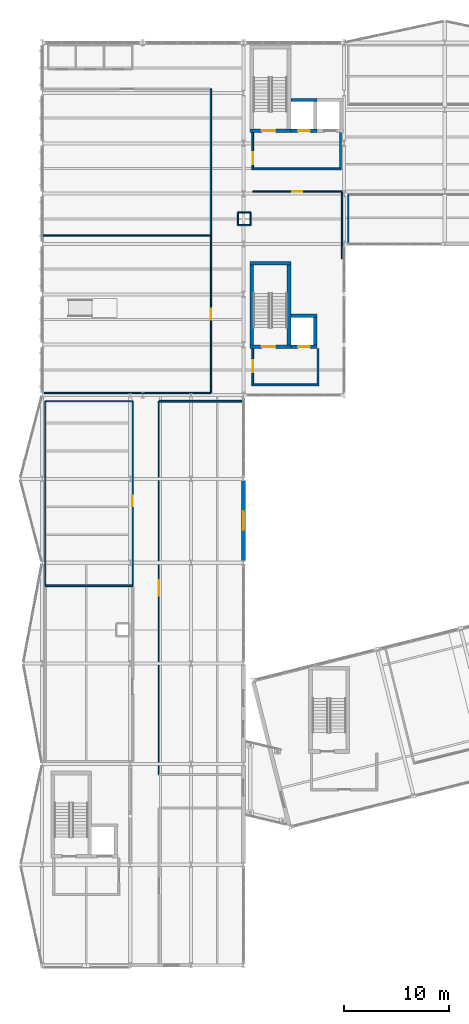
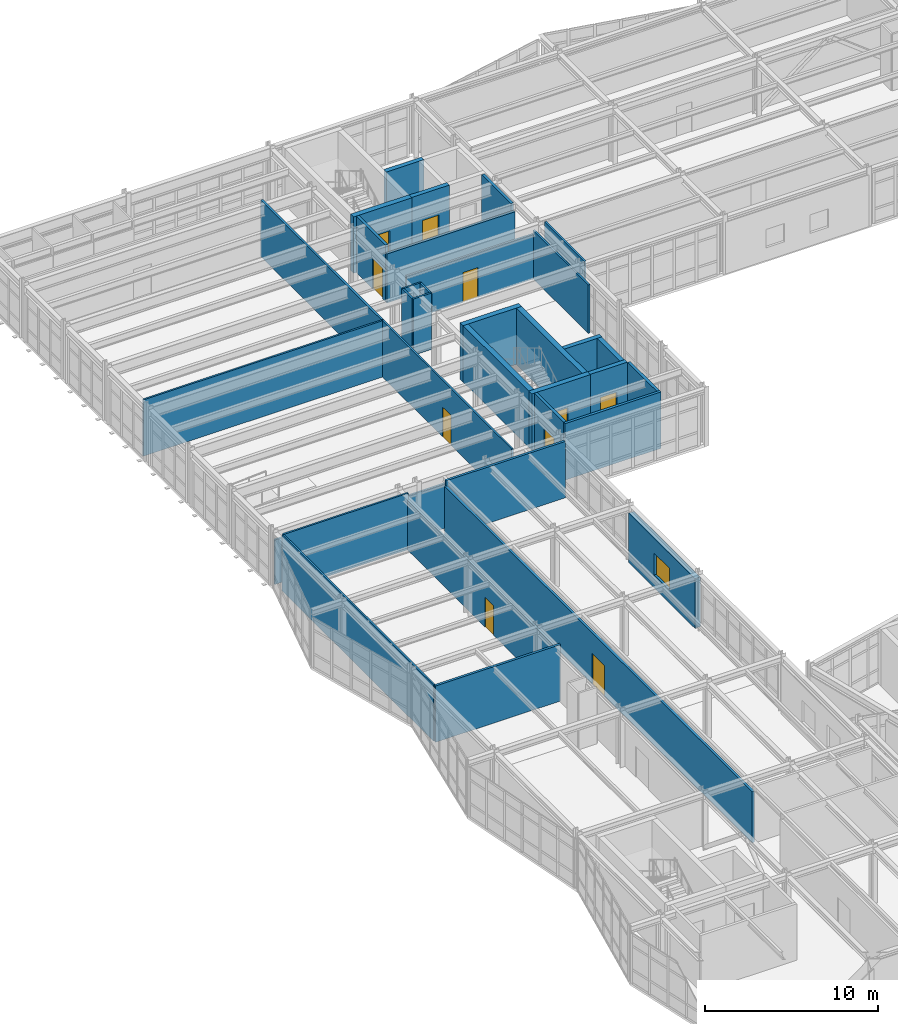
# One storey, part 64 of 76: 34 walls, 10 doors, 1 window, 11 openings.
"""IFC4 building model written with IfcOpenShell, lengths in metres."""

from ifc_helpers import new_model, si_unit, direction, frame, frame_2d, origin, place, context, subcontext, project, spatial, rectangle, extrude, material, layer, layer_set, type_object, element, fill, save


model = new_model("IFC4")

# Units and contexts
model_context = context("Model", 3, precision=1e-05, world=origin(), true_north=direction((0.0, 1.0)))
body_context = subcontext(model_context, "Body", "Model", "MODEL_VIEW")
ifc_project = project(units=[si_unit("LENGTHUNIT", "METRE"), si_unit("AREAUNIT", "SQUARE_METRE"), si_unit("VOLUMEUNIT", "CUBIC_METRE"), si_unit("PLANEANGLEUNIT", "RADIAN"), si_unit("MASSUNIT", "GRAM", prefix="KILO")], contexts=[model_context])

# Site, building, storey
site_placement = place(None, origin())
site = spatial("IfcSite", under=ifc_project, at=site_placement, CompositionType="ELEMENT")
building_placement = place(site_placement, origin())
building = spatial("IfcBuilding", under=site, at=building_placement, Name="Nordkorset Police Headquarters", CompositionType="ELEMENT")
storey_placement = place(building_placement, frame((0.0, 0.0, 13.64990234375)))
storey = spatial("IfcBuildingStorey", under=building, at=storey_placement, Name="L03", CompositionType="ELEMENT", Elevation=13.64990234375)

# Walls
ifc_material_1 = material(Name="Gypsum board", Category="gypsum")
ifc_layer_1 = layer(ifc_material_1, 0.139892578125, Name="Gypsum board")
ifc_layer_set_1 = layer_set([ifc_layer_1], Name="Gypsum board")
wall_type_1 = type_object("IfcWallType", Name="Wall_Acoust_140", PredefinedType="PARTITIONING", material=ifc_layer_set_1)
wall_1_placement = place(storey_placement, frame((16.10009765625, 98.455078125, 0.0), z_axis=(0.0, 0.0, 1.0), x_axis=(0.0, 1.0, 0.0)))
element("IfcWall", 1, at=wall_1_placement, inside=storey, type_object=wall_type_1, Name="Interior Partition Wall Encrypted Case Coordination Room", PredefinedType="PARTITIONING", context=body_context, shape_type="SweptSolid", body=[
    extrude(rectangle(XDim=13.94482421875, YDim=0.139892578125, at=frame_2d((6.972412109375, 0.0))), origin(), (0.0, 0.0, 1.0), 3.97998046875),
])
ifc_material_2 = material(Name="Gypsum board", Category="gypsum")
ifc_layer_2 = layer(ifc_material_2, 0.179931640625, Name="Gypsum board")
ifc_layer_set_2 = layer_set([ifc_layer_2], Name="Gypsum board")
wall_type_2 = type_object("IfcWallType", Name="Wall_Comp_180", PredefinedType="PARTITIONING", material=ifc_layer_set_2)
wall_2_placement = place(storey_placement, frame((20.0, 104.760009765625, 0.0), z_axis=(0.0, 0.0, 1.0), x_axis=(1.0, 0.0, 0.0)))
element("IfcWall", 2, at=wall_2_placement, inside=storey, type_object=wall_type_2, Name="Firefighting Lobby EI 60 Wall K1 L03 S", PredefinedType="PARTITIONING", context=body_context, shape_type="SweptSolid", body=[
    extrude(rectangle(XDim=8.550048828125, YDim=0.179931640625, at=frame_2d((4.27490234375, 0.0))), origin(), (0.0, 0.0, 1.0), 3.460205078125),
])

# Wall, opening, door
wall_3_placement = place(storey_placement, frame((20.090087890625, 104.85009765625, 0.0), z_axis=(0.0, 0.0, 1.0), x_axis=(0.0, 1.0, 0.0)))
wall_3 = element("IfcWall", 3, at=wall_3_placement, inside=storey, type_object=wall_type_2, Name="Firefighting Lobby EI 60 Wall K1 L03 W", PredefinedType="PARTITIONING", context=body_context, shape_type="SweptSolid", body=[
    extrude(rectangle(XDim=3.375, YDim=0.179931640625, at=frame_2d((1.6875, 0.0))), origin(), (0.0, 0.0, 1.0), 3.97998046875),
])
opening_1_placement = place(wall_3_placement, frame((0.35009765625, 0.0, 0.0)))
opening_1 = element("IfcOpeningElement", 4, at=opening_1_placement, cuts=wall_3, Name="Opening DR-01", PredefinedType="OPENING", context=body_context, shape_type="SweptSolid", body=[
    extrude(rectangle(XDim=1.14990234375, YDim=2.14990234375, at=frame_2d((0.574951171875, 1.074951171875))), frame((0.0, 0.10009765625, 0.0), z_axis=(0.0, -1.0, 0.0), x_axis=(1.0, 0.0, 0.0)), (0.0, 0.0, 1.0), 0.199951171875),
])
ifc_material_3 = material(Name="Steel S355J2", Category="steel")
door_type_1 = type_object("IfcDoorType", Name="Door_LobbySingle_1150x2150", OperationType="NOTDEFINED", PredefinedType="DOOR", material=ifc_material_3)
door_1_placement = place(opening_1_placement, origin())
door_1 = element("IfcDoor", 5, at=door_1_placement, inside=storey, type_object=door_type_1, Name="Firefighting Lobby Smoke Door K1 L03 W", OperationType="SINGLE_SWING_LEFT", OverallHeight=2.14990234375, OverallWidth=1.14990234375, PredefinedType="DOOR", context=body_context, shape_type="SweptSolid", body=[
    extrude(rectangle(XDim=1.14990234375, YDim=2.14990234375, at=frame_2d((0.574951171875, 1.074951171875))), frame((0.0, 0.02490234375, 0.0), z_axis=(0.0, -1.0, 0.0), x_axis=(1.0, 0.0, 0.0)), (0.0, 0.0, 1.0), 0.050048828125),
])
fill(opening_1, door_1)

# Walls
wall_4_placement = place(storey_placement, frame((28.4599609375, 104.85009765625, 0.0), z_axis=(0.0, 0.0, 1.0), x_axis=(0.0, 1.0, 0.0)))
element("IfcWall", 6, at=wall_4_placement, inside=storey, type_object=wall_type_2, Name="Firefighting Lobby EI 60 Wall K1 L03 E", PredefinedType="PARTITIONING", context=body_context, shape_type="SweptSolid", body=[
    extrude(rectangle(XDim=3.375, YDim=0.179931640625, at=frame_2d((1.6875, 0.0))), origin(), (0.0, 0.0, 1.0), 3.97998046875),
])
wall_5_placement = place(storey_placement, frame((20.0, 84.159912109375, 0.0), z_axis=(0.0, 0.0, 1.0), x_axis=(1.0, 0.0, 0.0)))
element("IfcWall", 7, at=wall_5_placement, inside=storey, type_object=wall_type_2, Name="Firefighting Lobby EI 60 Wall K3 L03 S", PredefinedType="PARTITIONING", context=body_context, shape_type="SweptSolid", body=[
    extrude(rectangle(XDim=6.39990234375, YDim=0.179931640625, at=frame_2d((3.199951171875, 0.0))), origin(), (0.0, 0.0, 1.0), 3.97998046875),
])

# Wall, opening, door
wall_6_placement = place(storey_placement, frame((20.090087890625, 84.25, 0.0), z_axis=(0.0, 0.0, 1.0), x_axis=(0.0, 1.0, 0.0)))
wall_6 = element("IfcWall", 8, at=wall_6_placement, inside=storey, type_object=wall_type_2, Name="Firefighting Lobby EI 60 Wall K3 L03 W", PredefinedType="PARTITIONING", context=body_context, shape_type="SweptSolid", body=[
    extrude(rectangle(XDim=3.375, YDim=0.179931640625, at=frame_2d((1.6875, 0.0))), origin(), (0.0, 0.0, 1.0), 3.97998046875),
])
opening_2_placement = place(wall_6_placement, frame((1.112548828125, 0.0, 0.0)))
opening_2 = element("IfcOpeningElement", 9, at=opening_2_placement, cuts=wall_6, Name="Opening DR-01", PredefinedType="OPENING", context=body_context, shape_type="SweptSolid", body=[
    extrude(rectangle(XDim=1.14990234375, YDim=2.14990234375, at=frame_2d((0.574951171875, 1.074951171875))), frame((0.0, 0.10009765625, 0.0), z_axis=(0.0, -1.0, 0.0), x_axis=(1.0, 0.0, 0.0)), (0.0, 0.0, 1.0), 0.199951171875),
])
door_2_placement = place(opening_2_placement, origin())
door_2 = element("IfcDoor", 10, at=door_2_placement, inside=storey, type_object=door_type_1, Name="Firefighting Lobby Smoke Door K3 L03 W", OperationType="SINGLE_SWING_RIGHT", OverallHeight=2.14990234375, OverallWidth=1.14990234375, PredefinedType="DOOR", context=body_context, shape_type="SweptSolid", body=[
    extrude(rectangle(XDim=1.14990234375, YDim=2.14990234375, at=frame_2d((0.574951171875, 1.074951171875))), frame((0.0, 0.02490234375, 0.0), z_axis=(0.0, -1.0, 0.0), x_axis=(1.0, 0.0, 0.0)), (0.0, 0.0, 1.0), 0.050048828125),
])
fill(opening_2, door_2)

# Wall
wall_7_placement = place(storey_placement, frame((26.31005859375, 84.25, 0.0), z_axis=(0.0, 0.0, 1.0), x_axis=(0.0, 1.0, 0.0)))
element("IfcWall", 11, at=wall_7_placement, inside=storey, type_object=wall_type_2, Name="Firefighting Lobby EI 60 Wall K3 L03 E", PredefinedType="PARTITIONING", context=body_context, shape_type="SweptSolid", body=[
    extrude(rectangle(XDim=3.375, YDim=0.179931640625, at=frame_2d((1.6875, 0.0))), origin(), (0.0, 0.0, 1.0), 3.97998046875),
])

# Wall, opening, door
ifc_material_4 = material(Name="Concrete C35/45", Category="concrete")
ifc_layer_3 = layer(ifc_material_4, 0.35009765625, Name="Concrete C35/45")
ifc_layer_set_3 = layer_set([ifc_layer_3], Name="Concrete C35/45")
wall_type_3 = type_object("IfcWallType", Name="Wall_CoreShear_350", PredefinedType="SHEAR", material=ifc_layer_set_3)
wall_8_placement = place(storey_placement, frame((19.824951171875, 108.39990234375, 0.0), z_axis=(0.0, 0.0, 1.0), x_axis=(1.0, 0.0, 0.0)))
wall_8 = element("IfcWall", 12, at=wall_8_placement, inside=storey, type_object=wall_type_3, Name="Core K1 Stair Shaft South Shear Wall L03", PredefinedType="SHEAR", context=body_context, shape_type="SweptSolid", body=[
    extrude(rectangle(XDim=3.900146484375, YDim=0.35009765625, at=frame_2d((1.9501953125, 0.0))), origin(), (0.0, 0.0, 1.0), 3.97998046875),
])
opening_3_placement = place(wall_8_placement, frame((1.125, 0.0, 0.0)))
opening_3 = element("IfcOpeningElement", 13, at=opening_3_placement, cuts=wall_8, Name="Opening DR-20", PredefinedType="OPENING", context=body_context, shape_type="SweptSolid", body=[
    extrude(rectangle(XDim=1.300048828125, YDim=2.14990234375, at=frame_2d((0.64990234375, 1.074951171875))), frame((0.0, 0.18505859375, 0.0), z_axis=(0.0, -1.0, 0.0), x_axis=(1.0, 0.0, 0.0)), (0.0, 0.0, 1.0), 0.3701171875),
])
ifc_material_5 = material(Name="Steel S355J2", Category="steel")
door_type_2 = type_object("IfcDoorType", Name="Door_Stair_1300x2150", OperationType="NOTDEFINED", PredefinedType="DOOR", material=ifc_material_5)
door_3_placement = place(opening_3_placement, frame((1.300048828125, 0.0, 0.0), z_axis=(0.0, 0.0, 1.0), x_axis=(-1.0, 0.0, 0.0)))
door_3 = element("IfcDoor", 14, at=door_3_placement, inside=storey, type_object=door_type_2, Name="Protected Stair Fire Door ST-01 L03", OperationType="SINGLE_SWING_RIGHT", OverallHeight=2.14990234375, OverallWidth=1.300048828125, PredefinedType="DOOR", context=body_context, shape_type="SweptSolid", body=[
    extrude(rectangle(XDim=1.300048828125, YDim=2.14990234375, at=frame_2d((0.64990234375, 1.074951171875))), frame((0.0, 0.02490234375, 0.0), z_axis=(0.0, -1.0, 0.0), x_axis=(1.0, 0.0, 0.0)), (0.0, 0.0, 1.0), 0.050048828125),
])
fill(opening_3, door_3)

wall_9_placement = place(storey_placement, frame((19.824951171875, 87.800048828125, 0.0), z_axis=(0.0, 0.0, 1.0), x_axis=(1.0, 0.0, 0.0)))
wall_9 = element("IfcWall", 15, at=wall_9_placement, inside=storey, type_object=wall_type_3, Name="Core K3 Stair Shaft South Shear Wall L03", PredefinedType="SHEAR", context=body_context, shape_type="SweptSolid", body=[
    extrude(rectangle(XDim=3.900146484375, YDim=0.35009765625, at=frame_2d((1.9501953125, 0.0))), origin(), (0.0, 0.0, 1.0), 3.97998046875),
])
opening_4_placement = place(wall_9_placement, frame((1.125, 0.0, 0.0)))
opening_4 = element("IfcOpeningElement", 16, at=opening_4_placement, cuts=wall_9, Name="Opening DR-20", PredefinedType="OPENING", context=body_context, shape_type="SweptSolid", body=[
    extrude(rectangle(XDim=1.300048828125, YDim=2.14990234375, at=frame_2d((0.64990234375, 1.074951171875))), frame((0.0, 0.18505859375, 0.0), z_axis=(0.0, -1.0, 0.0), x_axis=(1.0, 0.0, 0.0)), (0.0, 0.0, 1.0), 0.3701171875),
])
door_4_placement = place(opening_4_placement, frame((1.300048828125, 0.0, 0.0), z_axis=(0.0, 0.0, 1.0), x_axis=(-1.0, 0.0, 0.0)))
door_4 = element("IfcDoor", 17, at=door_4_placement, inside=storey, type_object=door_type_2, Name="Protected Stair Fire Door ST-03 L03", OperationType="SINGLE_SWING_LEFT", OverallHeight=2.14990234375, OverallWidth=1.300048828125, PredefinedType="DOOR", context=body_context, shape_type="SweptSolid", body=[
    extrude(rectangle(XDim=1.300048828125, YDim=2.14990234375, at=frame_2d((0.64990234375, 1.074951171875))), frame((0.0, 0.02490234375, 0.0), z_axis=(0.0, -1.0, 0.0), x_axis=(1.0, 0.0, 0.0)), (0.0, 0.0, 1.0), 0.050048828125),
])
fill(opening_4, door_4)

# Walls
wall_10_placement = place(storey_placement, frame((19.824951171875, 95.75, 0.0), z_axis=(0.0, 0.0, 1.0), x_axis=(1.0, 0.0, 0.0)))
element("IfcWall", 18, at=wall_10_placement, inside=storey, type_object=wall_type_3, Name="Core K3 Stair Shaft North Shear Wall L03", PredefinedType="SHEAR", context=body_context, shape_type="SweptSolid", body=[
    extrude(rectangle(XDim=3.900146484375, YDim=0.35009765625, at=frame_2d((1.9501953125, 0.0))), origin(), (0.0, 0.0, 1.0), 3.97998046875),
])
for number, where, z_axis, x_axis, name in (
    (19, (20.0, 87.97509765625, 0.0), (0.0, 0.0, 1.0), (0.0, 1.0, 0.0), "Core K3 Stair Shaft West Shear Wall L03"),
    (20, (23.550048828125, 87.97509765625, 0.0), (0.0, 0.0, 1.0), (0.0, 1.0, 0.0), "Core K3 Stair Shaft East Shear Wall L03"),
):
    element("IfcWall", number, at=place(storey_placement, frame(where, z_axis=z_axis, x_axis=x_axis)), inside=storey, type_object=wall_type_3, Name=name, PredefinedType="SHEAR", context=body_context, shape_type="SweptSolid", body=[
        extrude(rectangle(XDim=7.599853515625, YDim=0.35009765625, at=frame_2d((3.7998046875, 0.0))), origin(), (0.0, 0.0, 1.0), 3.97998046875),
    ])

# Wall, opening, window
ifc_material_6 = material(Name="Precast concrete C40/50", Category="concrete")
ifc_layer_4 = layer(ifc_material_6, 0.360107421875, Name="Precast concrete C40/50")
ifc_layer_set_4 = layer_set([ifc_layer_4], Name="Precast concrete C40/50")
wall_type_4 = type_object("IfcWallType", Name="Wall_ExtPrecast_360", PredefinedType="SOLIDWALL", material=ifc_layer_set_4)
wall_11_placement = place(storey_placement, frame((19.199951171875, 67.3720703125, 0.0), z_axis=(0.0, 0.0, 1.0), x_axis=(0.0, 1.0, 0.0)))
wall_11 = element("IfcWall", 21, at=wall_11_placement, inside=storey, type_object=wall_type_4, Name="Exterior Insulated Precast Wall L03 V3E-4", PredefinedType="SOLIDWALL", context=body_context, shape_type="SweptSolid", body=[
    extrude(rectangle(XDim=7.656005859375, YDim=0.360107421875, at=frame_2d((3.828125, 0.0))), origin(), (0.0, 0.0, 1.0), 3.505126953125),
])
opening_5_placement = place(wall_11_placement, frame((2.927978515625, 0.0, 0.89990234375)))
opening_5 = element("IfcOpeningElement", 22, at=opening_5_placement, cuts=wall_11, Name="Opening WN-26", PredefinedType="OPENING", context=body_context, shape_type="SweptSolid", body=[
    extrude(rectangle(XDim=1.800048828125, YDim=1.550048828125, at=frame_2d((0.89990234375, 0.77490234375))), frame((0.0, 0.18994140625, 0.0), z_axis=(0.0, -1.0, 0.0), x_axis=(1.0, 0.0, 0.0)), (0.0, 0.0, 1.0), 0.380126953125),
])
ifc_material_7 = material(Name="Low-iron triple glazing", Category="glass")
window_type = type_object("IfcWindowType", Name="Win_1800x1550", PartitioningType="SINGLE_PANEL", PredefinedType="WINDOW", material=ifc_material_7)
window_placement = place(opening_5_placement, origin())
window = element("IfcWindow", 23, at=window_placement, inside=storey, type_object=window_type, Name="Triple-Glazed Exterior Window L03 V3E-4-1", OverallHeight=1.550048828125, OverallWidth=1.800048828125, PartitioningType="SINGLE_PANEL", PredefinedType="WINDOW", context=body_context, shape_type="SweptSolid", body=[
    extrude(rectangle(XDim=1.800048828125, YDim=1.550048828125, at=frame_2d((0.89990234375, 0.77490234375))), frame((0.0, 0.030029296875, 0.0), z_axis=(0.0, -1.0, 0.0), x_axis=(1.0, 0.0, 0.0)), (0.0, 0.0, 1.0), 0.06005859375),
])
fill(opening_5, window)

# Walls
ifc_material_8 = material(Name="Gypsum board", Category="gypsum")
ifc_layer_5 = layer(ifc_material_8, 0.159912109375, Name="Gypsum board")
ifc_layer_set_5 = layer_set([ifc_layer_5], Name="Gypsum board")
wall_type_5 = type_object("IfcWallType", Name="Wall_Lab_160", PredefinedType="PARTITIONING", material=ifc_layer_set_5)
wall_12_placement = place(storey_placement, frame((8.639892578125, 65.0, 0.0), z_axis=(0.0, 0.0, 1.0), x_axis=(-1.0, 0.0, 0.0)))
element("IfcWall", 24, at=wall_12_placement, inside=storey, type_object=wall_type_5, Name="Interior Partition Wall Digital Forensics Laboratory", PredefinedType="PARTITIONING", context=body_context, shape_type="SweptSolid", body=[
    extrude(rectangle(XDim=8.33984375, YDim=0.159912109375, at=frame_2d((4.169921875, 0.0))), origin(), (0.0, 0.0, 1.0), 3.97998046875),
])
wall_13_placement = place(storey_placement, frame((19.114990234375, 82.60009765625, 0.0), z_axis=(0.0, 0.0, 1.0), x_axis=(-1.0, 0.0, 0.0)))
element("IfcWall", 25, at=wall_13_placement, inside=storey, type_object=wall_type_5, Name="Interior Partition Wall RF-Shielded Mobile Device Triage Lab", PredefinedType="PARTITIONING", context=body_context, shape_type="SweptSolid", body=[
    extrude(rectangle(XDim=7.955078125, YDim=0.159912109375, at=frame_2d((3.9775390625, 0.0))), origin(), (0.0, 0.0, 1.0), 3.97998046875),
])

# Wall, opening, door
wall_14_placement = place(storey_placement, frame((11.159912109375, 82.60009765625, 0.0), z_axis=(0.0, 0.0, 1.0), x_axis=(0.0, -1.0, 0.0)))
wall_14 = element("IfcWall", 26, at=wall_14_placement, inside=storey, type_object=wall_type_5, Name="Interior Partition Wall RF-Shielded Mobile Device Triage Lab", PredefinedType="PARTITIONING", context=body_context, shape_type="SweptSolid", body=[
    extrude(rectangle(XDim=35.60009765625, YDim=0.159912109375, at=frame_2d((17.800048828125, 0.0))), origin(), (0.0, 0.0, 1.0), 3.60009765625),
])
opening_6_placement = place(wall_14_placement, frame((17.074951171875, 0.0, 0.0)))
opening_6 = element("IfcOpeningElement", 27, at=opening_6_placement, cuts=wall_14, Name="Opening DR-12", PredefinedType="OPENING", context=body_context, shape_type="SweptSolid", body=[
    extrude(rectangle(XDim=1.449951171875, YDim=2.14990234375, at=frame_2d((0.72509765625, 1.074951171875))), frame((0.0, 0.08984375, 0.0), z_axis=(0.0, -1.0, 0.0), x_axis=(1.0, 0.0, 0.0)), (0.0, 0.0, 1.0), 0.179931640625),
])
ifc_material_9 = material(Name="Aluminium alloy AW-6060", Category="aluminium")
door_type_3 = type_object("IfcDoorType", Name="Door_LabClean_1450x2150", OperationType="DOUBLE_DOOR_SINGLE_SWING", PredefinedType="DOOR", material=ifc_material_9)
door_5_placement = place(opening_6_placement, frame((1.449951171875, 0.0, 0.0), z_axis=(0.0, 0.0, 1.0), x_axis=(-1.0, 0.0, 0.0)))
door_5 = element("IfcDoor", 28, at=door_5_placement, inside=storey, type_object=door_type_3, Name="Interior Door RF-Shielded Mobile Device Triage Lab", OperationType="DOUBLE_DOOR_SINGLE_SWING", OverallHeight=2.14990234375, OverallWidth=1.449951171875, PredefinedType="DOOR", context=body_context, shape_type="SweptSolid", body=[
    extrude(rectangle(XDim=1.449951171875, YDim=2.14990234375, at=frame_2d((0.72509765625, 1.074951171875))), frame((0.0, 0.02490234375, 0.0), z_axis=(0.0, -1.0, 0.0), x_axis=(1.0, 0.0, 0.0)), (0.0, 0.0, 1.0), 0.050048828125),
])
fill(opening_6, door_5)

# Wall
ifc_material_10 = material(Name="Gypsum board", Category="gypsum")
ifc_layer_6 = layer(ifc_material_10, 0.1201171875, Name="Gypsum board")
ifc_layer_set_6 = layer_set([ifc_layer_6], Name="Gypsum board")
wall_type_6 = type_object("IfcWallType", Name="Wall_Part_120", PredefinedType="PARTITIONING", material=ifc_layer_set_6)
wall_15_placement = place(storey_placement, frame((0.199951171875, 83.39990234375, 0.0), z_axis=(0.0, 0.0, 1.0), x_axis=(1.0, 0.0, 0.0)))
element("IfcWall", 29, at=wall_15_placement, inside=storey, type_object=wall_type_6, Name="Interior Partition Wall National Cybercrime Operations Suite", PredefinedType="PARTITIONING", context=body_context, shape_type="SweptSolid", body=[
    extrude(rectangle(XDim=15.900146484375, YDim=0.1201171875, at=frame_2d((7.9501953125, 0.0))), origin(), (0.0, 0.0, 1.0), 3.14501953125),
])

# Wall, opening, door
wall_16_placement = place(storey_placement, frame((16.10009765625, 83.39990234375, 0.0), z_axis=(0.0, 0.0, 1.0), x_axis=(0.0, 1.0, 0.0)))
wall_16 = element("IfcWall", 30, at=wall_16_placement, inside=storey, type_object=wall_type_6, Name="Interior Partition Wall National Cybercrime Operations Suite", PredefinedType="PARTITIONING", context=body_context, shape_type="SweptSolid", body=[
    extrude(rectangle(XDim=15.0, YDim=0.1201171875, at=frame_2d((7.5, 0.0))), origin(), (0.0, 0.0, 1.0), 3.97998046875),
])
opening_7_placement = place(wall_16_placement, frame((6.989990234375, 0.0, 0.0)))
opening_7 = element("IfcOpeningElement", 31, at=opening_7_placement, cuts=wall_16, Name="Opening DR-19", PredefinedType="OPENING", context=body_context, shape_type="SweptSolid", body=[
    extrude(rectangle(XDim=1.02001953125, YDim=2.10009765625, at=frame_2d((0.510009765625, 1.050048828125))), frame((0.0, 0.070068359375, 0.0), z_axis=(0.0, -1.0, 0.0), x_axis=(1.0, 0.0, 0.0)), (0.0, 0.0, 1.0), 0.14013671875),
])
ifc_material_11 = material(Name="Glulam GL30c", Category="wood")
door_type_4 = type_object("IfcDoorType", Name="Door_Office_1020x2100", OperationType="NOTDEFINED", PredefinedType="DOOR", material=ifc_material_11)
door_6_placement = place(opening_7_placement, origin())
door_6 = element("IfcDoor", 32, at=door_6_placement, inside=storey, type_object=door_type_4, Name="Interior Door National Cybercrime Operations Suite", OperationType="SINGLE_SWING_RIGHT", OverallHeight=2.10009765625, OverallWidth=1.02001953125, PredefinedType="DOOR", context=body_context, shape_type="SweptSolid", body=[
    extrude(rectangle(XDim=1.02001953125, YDim=2.10009765625, at=frame_2d((0.510009765625, 1.050048828125))), frame((0.0, 0.02490234375, 0.0), z_axis=(0.0, -1.0, 0.0), x_axis=(1.0, 0.0, 0.0)), (0.0, 0.0, 1.0), 0.050048828125),
])
fill(opening_7, door_6)

# Walls
wall_17_placement = place(storey_placement, frame((16.10009765625, 98.39990234375, 0.0), z_axis=(0.0, 0.0, 1.0), x_axis=(-1.0, 0.0, 0.0)))
element("IfcWall", 33, at=wall_17_placement, inside=storey, type_object=wall_type_6, Name="Interior Partition Wall National Cybercrime Operations Suite", PredefinedType="PARTITIONING", context=body_context, shape_type="SweptSolid", body=[
    extrude(rectangle(XDim=16.01513671875, YDim=0.1201171875, at=frame_2d((8.007568359375, 0.0))), origin(), (0.0, 0.0, 1.0), 3.97998046875),
])
wall_18_placement = place(storey_placement, frame((28.60009765625, 96.199951171875, 0.0), z_axis=(0.0, 0.0, 1.0), x_axis=(0.0, 1.0, 0.0)))
element("IfcWall", 34, at=wall_18_placement, inside=storey, type_object=wall_type_6, Name="Interior Partition Wall Cryptographic Analysis Workroom", PredefinedType="PARTITIONING", context=body_context, shape_type="SweptSolid", body=[
    extrude(rectangle(XDim=6.400146484375, YDim=0.1201171875, at=frame_2d((3.2001953125, 0.0))), origin(), (0.0, 0.0, 1.0), 3.420166015625),
])

# Wall, opening, door
wall_19_placement = place(storey_placement, frame((28.60009765625, 102.60009765625, 0.0), z_axis=(0.0, 0.0, 1.0), x_axis=(-1.0, 0.0, 0.0)))
wall_19 = element("IfcWall", 35, at=wall_19_placement, inside=storey, type_object=wall_type_6, Name="Interior Partition Wall Cryptographic Analysis Workroom", PredefinedType="PARTITIONING", context=body_context, shape_type="SweptSolid", body=[
    extrude(rectangle(XDim=8.52001953125, YDim=0.1201171875, at=frame_2d((4.260009765625, 0.0))), origin(), (0.0, 0.0, 1.0), 3.16015625),
])
opening_8_placement = place(wall_19_placement, frame((3.77001953125, 0.0, 0.0)))
opening_8 = element("IfcOpeningElement", 36, at=opening_8_placement, cuts=wall_19, Name="Opening DR-18", PredefinedType="OPENING", context=body_context, shape_type="SweptSolid", body=[
    extrude(rectangle(XDim=0.97998046875, YDim=2.10009765625, at=frame_2d((0.489990234375, 1.050048828125))), frame((0.0, 0.070068359375, 0.0), z_axis=(0.0, -1.0, 0.0), x_axis=(1.0, 0.0, 0.0)), (0.0, 0.0, 1.0), 0.14013671875),
])
ifc_material_12 = material(Name="Glulam GL30c", Category="wood")
door_type_5 = type_object("IfcDoorType", Name="Door_Office_980x2100", OperationType="NOTDEFINED", PredefinedType="DOOR", material=ifc_material_12)
door_7_placement = place(opening_8_placement, frame((0.97998046875, 0.0, 0.0), z_axis=(0.0, 0.0, 1.0), x_axis=(-1.0, 0.0, 0.0)))
door_7 = element("IfcDoor", 37, at=door_7_placement, inside=storey, type_object=door_type_5, Name="Interior Door Cryptographic Analysis Workroom", OperationType="SINGLE_SWING_LEFT", OverallHeight=2.10009765625, OverallWidth=0.97998046875, PredefinedType="DOOR", context=body_context, shape_type="SweptSolid", body=[
    extrude(rectangle(XDim=0.97998046875, YDim=2.10009765625, at=frame_2d((0.489990234375, 1.050048828125))), frame((0.0, 0.02490234375, 0.0), z_axis=(0.0, -1.0, 0.0), x_axis=(1.0, 0.0, 0.0)), (0.0, 0.0, 1.0), 0.050048828125),
])
fill(opening_8, door_7)

# Wall
wall_20_placement = place(storey_placement, frame((29.199951171875, 102.300048828125, 0.0), z_axis=(0.0, 0.0, 1.0), x_axis=(0.0, -1.0, 0.0)))
element("IfcWall", 38, at=wall_20_placement, inside=storey, type_object=wall_type_6, Name="Interior Partition Wall Criminal Law Reference Library", PredefinedType="PARTITIONING", context=body_context, shape_type="SweptSolid", body=[
    extrude(rectangle(XDim=4.614990234375, YDim=0.1201171875, at=frame_2d((2.3076171875, 0.0))), origin(), (0.0, 0.0, 1.0), 3.97998046875),
])

# Wall, opening, door
wall_21_placement = place(storey_placement, frame((8.639892578125, 65.074951171875, 0.0), z_axis=(0.0, 0.0, 1.0), x_axis=(0.0, 1.0, 0.0)))
wall_21 = element("IfcWall", 39, at=wall_21_placement, inside=storey, type_object=wall_type_6, Name="Interior Partition Wall Acoustic and Video Enhancement Lab", PredefinedType="PARTITIONING", context=body_context, shape_type="SweptSolid", body=[
    extrude(rectangle(XDim=17.525146484375, YDim=0.1201171875, at=frame_2d((8.7626953125, 0.0))), origin(), (0.0, 0.0, 1.0), 3.52001953125),
])
opening_9_placement = place(wall_21_placement, frame((7.5224609375, 0.0, 0.0)))
opening_9 = element("IfcOpeningElement", 40, at=opening_9_placement, cuts=wall_21, Name="Opening DR-18", PredefinedType="OPENING", context=body_context, shape_type="SweptSolid", body=[
    extrude(rectangle(XDim=0.97998046875, YDim=2.10009765625, at=frame_2d((0.489990234375, 1.050048828125))), frame((0.0, 0.070068359375, 0.0), z_axis=(0.0, -1.0, 0.0), x_axis=(1.0, 0.0, 0.0)), (0.0, 0.0, 1.0), 0.14013671875),
])
door_8_placement = place(opening_9_placement, frame((0.97998046875, 0.0, 0.0), z_axis=(0.0, 0.0, 1.0), x_axis=(-1.0, 0.0, 0.0)))
door_8 = element("IfcDoor", 41, at=door_8_placement, inside=storey, type_object=door_type_5, Name="Interior Door Acoustic and Video Enhancement Lab", OperationType="SINGLE_SWING_RIGHT", OverallHeight=2.10009765625, OverallWidth=0.97998046875, PredefinedType="DOOR", context=body_context, shape_type="SweptSolid", body=[
    extrude(rectangle(XDim=0.97998046875, YDim=2.10009765625, at=frame_2d((0.489990234375, 1.050048828125))), frame((0.0, 0.02490234375, 0.0), z_axis=(0.0, -1.0, 0.0), x_axis=(1.0, 0.0, 0.0)), (0.0, 0.0, 1.0), 0.050048828125),
])
fill(opening_9, door_8)

# Walls
wall_22_placement = place(storey_placement, frame((8.639892578125, 82.60009765625, 0.0), z_axis=(0.0, 0.0, 1.0), x_axis=(-1.0, 0.0, 0.0)))
element("IfcWall", 42, at=wall_22_placement, inside=storey, type_object=wall_type_6, Name="Interior Partition Wall Acoustic and Video Enhancement Lab", PredefinedType="PARTITIONING", context=body_context, shape_type="SweptSolid", body=[
    extrude(rectangle(XDim=8.33984375, YDim=0.1201171875, at=frame_2d((4.169921875, 0.0))), origin(), (0.0, 0.0, 1.0), 3.97998046875),
])
wall_23_placement = place(storey_placement, frame((0.300048828125, 82.60009765625, 0.0), z_axis=(0.0, 0.0, 1.0), x_axis=(0.0, -1.0, 0.0)))
element("IfcWall", 43, at=wall_23_placement, inside=storey, type_object=wall_type_6, Name="Interior Partition Wall Acoustic and Video Enhancement Lab", PredefinedType="PARTITIONING", context=body_context, shape_type="SweptSolid", body=[
    extrude(rectangle(XDim=17.525146484375, YDim=0.1201171875, at=frame_2d((8.7626953125, 0.0))), origin(), (0.0, 0.0, 1.0), 3.97998046875),
])
ifc_material_13 = material(Name="Gypsum board", Category="gypsum")
ifc_layer_7 = layer(ifc_material_13, 0.125, Name="Gypsum board")
ifc_layer_set_7 = layer_set([ifc_layer_7], Name="Gypsum board")
wall_type_7 = type_object("IfcWallType", Name="Wall_Riser_125", PredefinedType="PARTITIONING", material=ifc_layer_set_7)
wall_24_placement = place(storey_placement, frame((18.679931640625, 99.39990234375, 0.0), z_axis=(0.0, 0.0, 1.0), x_axis=(1.0, 0.0, 0.0)))
element("IfcWall", 44, at=wall_24_placement, inside=storey, type_object=wall_type_7, Name="Service Riser Enclosure RSR-V1 L03", PredefinedType="PARTITIONING", context=body_context, shape_type="SweptSolid", body=[
    extrude(rectangle(XDim=1.199951171875, YDim=0.125, at=frame_2d((0.60009765625, 0.0))), origin(), (0.0, 0.0, 1.0), 3.97998046875),
])
wall_25_placement = place(storey_placement, frame((19.8798828125, 99.39990234375, 0.0), z_axis=(0.0, 0.0, 1.0), x_axis=(0.0, 1.0, 0.0)))
element("IfcWall", 45, at=wall_25_placement, inside=storey, type_object=wall_type_7, Name="Service Riser Enclosure RSR-V1 L03", PredefinedType="PARTITIONING", context=body_context, shape_type="SweptSolid", body=[
    extrude(rectangle(XDim=1.2001953125, YDim=0.125, at=frame_2d((0.60009765625, 0.0))), origin(), (0.0, 0.0, 1.0), 3.97998046875),
])
wall_26_placement = place(storey_placement, frame((19.8798828125, 100.60009765625, 0.0), z_axis=(0.0, 0.0, 1.0), x_axis=(-1.0, 0.0, 0.0)))
element("IfcWall", 46, at=wall_26_placement, inside=storey, type_object=wall_type_7, Name="Service Riser Enclosure RSR-V1 L03", PredefinedType="PARTITIONING", context=body_context, shape_type="SweptSolid", body=[
    extrude(rectangle(XDim=1.199951171875, YDim=0.125, at=frame_2d((0.60009765625, 0.0))), origin(), (0.0, 0.0, 1.0), 3.97998046875),
])
wall_27_placement = place(storey_placement, frame((18.679931640625, 100.60009765625, 0.0), z_axis=(0.0, 0.0, 1.0), x_axis=(0.0, -1.0, 0.0)))
element("IfcWall", 47, at=wall_27_placement, inside=storey, type_object=wall_type_7, Name="Service Riser Enclosure RSR-V1 L03", PredefinedType="PARTITIONING", context=body_context, shape_type="SweptSolid", body=[
    extrude(rectangle(XDim=1.2001953125, YDim=0.125, at=frame_2d((0.60009765625, 0.0))), origin(), (0.0, 0.0, 1.0), 3.97998046875),
])

# Wall, opening, door
ifc_material_14 = material(Name="Concrete C35/45", Category="concrete")
ifc_layer_8 = layer(ifc_material_14, 0.300048828125, Name="Concrete C35/45")
ifc_layer_set_8 = layer_set([ifc_layer_8], Name="Concrete C35/45")
wall_type_8 = type_object("IfcWallType", Name="Wall_ShaftShear_300", PredefinedType="SHEAR", material=ifc_layer_set_8)
wall_28_placement = place(storey_placement, frame((23.72509765625, 108.39990234375, 0.0), z_axis=(0.0, 0.0, 1.0), x_axis=(1.0, 0.0, 0.0)))
wall_28 = element("IfcWall", 48, at=wall_28_placement, inside=storey, type_object=wall_type_8, Name="Lift Shaft LF-01 Front Shear Wall L03", PredefinedType="SHEAR", context=body_context, shape_type="SweptSolid", body=[
    extrude(rectangle(XDim=2.5, YDim=0.300048828125, at=frame_2d((1.25, 0.0))), origin(), (0.0, 0.0, 1.0), 3.97998046875),
])
opening_10_placement = place(wall_28_placement, frame((0.699951171875, 0.0, 0.0)))
opening_10 = element("IfcOpeningElement", 49, at=opening_10_placement, cuts=wall_28, Name="Opening LD-01", PredefinedType="OPENING", context=body_context, shape_type="SweptSolid", body=[
    extrude(rectangle(XDim=1.10009765625, YDim=2.10009765625, at=frame_2d((0.550048828125, 1.050048828125))), frame((0.0, 0.16015625, 0.0), z_axis=(0.0, -1.0, 0.0), x_axis=(1.0, 0.0, 0.0)), (0.0, 0.0, 1.0), 0.320068359375),
])
ifc_material_15 = material(Name="Steel S355J2", Category="steel")
door_type_6 = type_object("IfcDoorType", Name="Door_LiftLanding_1100x2100", OperationType="SLIDING_TO_LEFT", PredefinedType="DOOR", material=ifc_material_15)
door_9_placement = place(opening_10_placement, frame((1.10009765625, 0.0, 0.0), z_axis=(0.0, 0.0, 1.0), x_axis=(-1.0, 0.0, 0.0)))
door_9 = element("IfcDoor", 50, at=door_9_placement, inside=storey, type_object=door_type_6, Name="Lift Landing Sliding Door LF-01 L03", OperationType="SLIDING_TO_LEFT", OverallHeight=2.10009765625, OverallWidth=1.10009765625, PredefinedType="DOOR", context=body_context, shape_type="SweptSolid", body=[
    extrude(rectangle(XDim=1.10009765625, YDim=2.10009765625, at=frame_2d((0.550048828125, 1.050048828125))), frame((0.0, 0.02490234375, 0.0), z_axis=(0.0, -1.0, 0.0), x_axis=(1.0, 0.0, 0.0)), (0.0, 0.0, 1.0), 0.050048828125),
])
fill(opening_10, door_9)

# Wall
wall_29_placement = place(storey_placement, frame((23.72509765625, 111.35009765625, 0.0), z_axis=(0.0, 0.0, 1.0), x_axis=(1.0, 0.0, 0.0)))
element("IfcWall", 51, at=wall_29_placement, inside=storey, type_object=wall_type_8, Name="Lift Shaft LF-01 Rear Shear Wall L03", PredefinedType="SHEAR", context=body_context, shape_type="SweptSolid", body=[
    extrude(rectangle(XDim=2.5, YDim=0.300048828125, at=frame_2d((1.25, 0.0))), origin(), (0.0, 0.0, 1.0), 3.97998046875),
])

# Wall, opening, door
wall_30_placement = place(storey_placement, frame((23.72509765625, 87.800048828125, 0.0), z_axis=(0.0, 0.0, 1.0), x_axis=(1.0, 0.0, 0.0)))
wall_30 = element("IfcWall", 52, at=wall_30_placement, inside=storey, type_object=wall_type_8, Name="Lift Shaft LF-03 Front Shear Wall L03", PredefinedType="SHEAR", context=body_context, shape_type="SweptSolid", body=[
    extrude(rectangle(XDim=2.5, YDim=0.300048828125, at=frame_2d((1.25, 0.0))), origin(), (0.0, 0.0, 1.0), 3.97998046875),
])
opening_11_placement = place(wall_30_placement, frame((0.699951171875, 0.0, 0.0)))
opening_11 = element("IfcOpeningElement", 53, at=opening_11_placement, cuts=wall_30, Name="Opening LD-03", PredefinedType="OPENING", context=body_context, shape_type="SweptSolid", body=[
    extrude(rectangle(XDim=1.10009765625, YDim=2.10009765625, at=frame_2d((0.550048828125, 1.050048828125))), frame((0.0, 0.16015625, 0.0), z_axis=(0.0, -1.0, 0.0), x_axis=(1.0, 0.0, 0.0)), (0.0, 0.0, 1.0), 0.320068359375),
])
door_10_placement = place(opening_11_placement, frame((1.10009765625, 0.0, 0.0), z_axis=(0.0, 0.0, 1.0), x_axis=(-1.0, 0.0, 0.0)))
door_10 = element("IfcDoor", 54, at=door_10_placement, inside=storey, type_object=door_type_6, Name="Lift Landing Sliding Door LF-03 L03", OperationType="SLIDING_TO_LEFT", OverallHeight=2.10009765625, OverallWidth=1.10009765625, PredefinedType="DOOR", context=body_context, shape_type="SweptSolid", body=[
    extrude(rectangle(XDim=1.10009765625, YDim=2.10009765625, at=frame_2d((0.550048828125, 1.050048828125))), frame((0.0, 0.02490234375, 0.0), z_axis=(0.0, -1.0, 0.0), x_axis=(1.0, 0.0, 0.0)), (0.0, 0.0, 1.0), 0.050048828125),
])
fill(opening_11, door_10)

# Walls
wall_31_placement = place(storey_placement, frame((23.72509765625, 90.75, 0.0), z_axis=(0.0, 0.0, 1.0), x_axis=(1.0, 0.0, 0.0)))
element("IfcWall", 55, at=wall_31_placement, inside=storey, type_object=wall_type_8, Name="Lift Shaft LF-03 Rear Shear Wall L03", PredefinedType="SHEAR", context=body_context, shape_type="SweptSolid", body=[
    extrude(rectangle(XDim=2.5, YDim=0.300048828125, at=frame_2d((1.25, 0.0))), origin(), (0.0, 0.0, 1.0), 3.97998046875),
])
wall_32_placement = place(storey_placement, frame((26.050048828125, 87.949951171875, 0.0), z_axis=(0.0, 0.0, 1.0), x_axis=(0.0, 1.0, 0.0)))
element("IfcWall", 56, at=wall_32_placement, inside=storey, type_object=wall_type_8, Name="Lift Shaft LF-03 East Shear Wall L03", PredefinedType="SHEAR", context=body_context, shape_type="SweptSolid", body=[
    extrude(rectangle(XDim=2.650146484375, YDim=0.300048828125, at=frame_2d((1.3251953125, 0.0))), origin(), (0.0, 0.0, 1.0), 3.97998046875),
])

save(model, "model.ifc")
